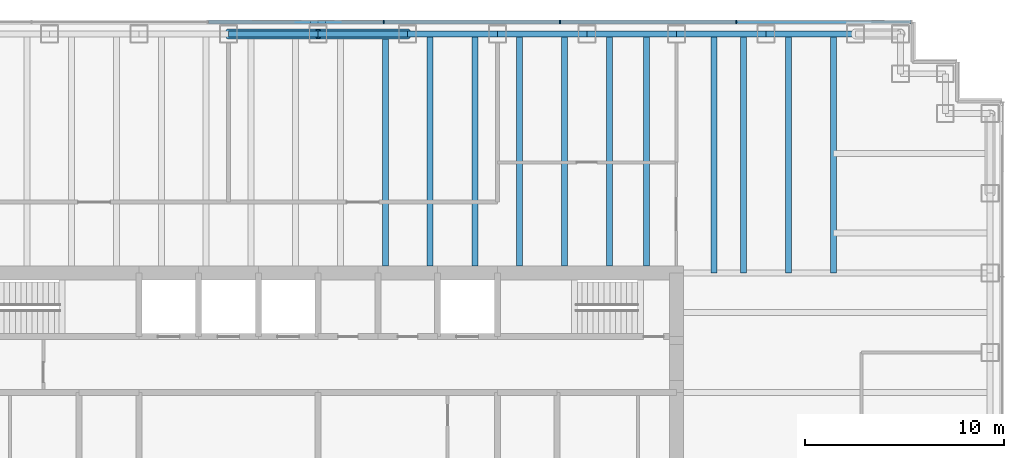
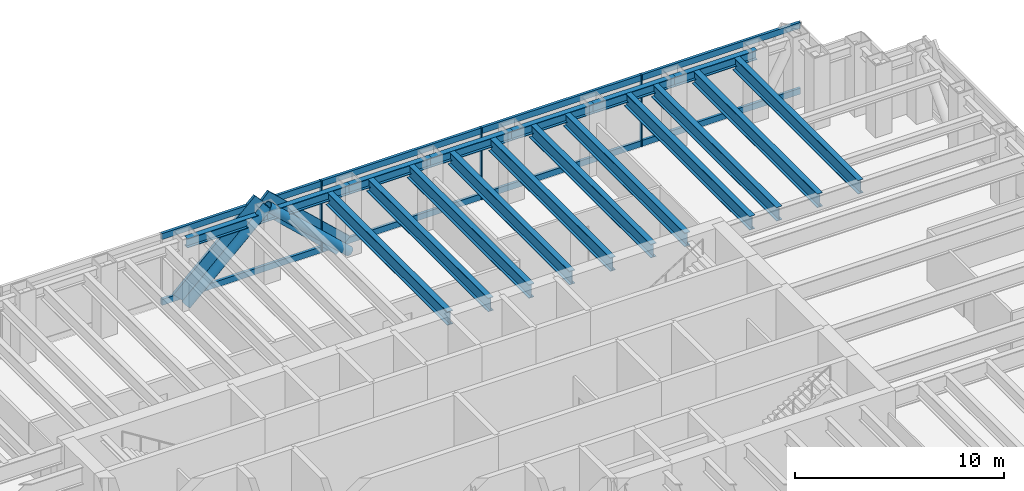
# One storey, part 7 of 15: 18 beams, 15 members, 1 element without a shape of its own.
"""IFC4 building model written with IfcOpenShell, lengths in metres."""

from ifc_helpers import new_model, si_unit, direction, frame, origin, origin_2d, place, context, subcontext, project, spatial, rectangle, hollow_circle, i_section, extrude, material, material_profile, profile_set, type_object, element, aggregate, save


model = new_model("IFC4")

# Units and contexts
model_context = context("Model", 3, precision=1e-05, world=origin(), true_north=direction((0.0, 1.0)))
body_context = subcontext(model_context, "Body", "Model", "MODEL_VIEW")
ifc_project = project(units=[si_unit("LENGTHUNIT", "METRE"), si_unit("AREAUNIT", "SQUARE_METRE"), si_unit("VOLUMEUNIT", "CUBIC_METRE"), si_unit("PLANEANGLEUNIT", "RADIAN"), si_unit("MASSUNIT", "GRAM", prefix="KILO")], contexts=[model_context])

# Site, building, storey
site_placement = place(None, origin())
site = spatial("IfcSite", under=ifc_project, at=site_placement, CompositionType="ELEMENT")
building_placement = place(site_placement, origin())
building = spatial("IfcBuilding", under=site, at=building_placement, Name="Rheinbord Bourse Tower", CompositionType="ELEMENT")
storey_placement = place(building_placement, frame((0.0, 0.0, 329.89990234375)))
storey = spatial("IfcBuildingStorey", under=building, at=storey_placement, Name="L75", CompositionType="ELEMENT", Elevation=329.89990234375)

# Curtain wall, members
ifc_material_1 = material(Name="Dark glass and black aluminium", Category="aluminium")
curtain_wall_type = type_object("IfcCurtainWallType", Name="CW3 DARK GLASS CURTAIN WALL", PredefinedType="USERDEFINED", material=ifc_material_1)
curtain_wall_placement = place(storey_placement, origin())
curtain_wall = element("IfcCurtainWall", 1, at=curtain_wall_placement, inside=storey, type_object=curtain_wall_type, Name="Curtain wall CW3 N L75", ObjectType="UNITISED CURTAIN WALL", PredefinedType="USERDEFINED")
ifc_material_2 = material(Name="Black anodised aluminium", Category="aluminium")
ifc_material_profile_1 = material_profile(ifc_material_2, rectangle(XDim=0.14990234375, YDim=1.10791015625, at=origin_2d()), Name="CW3 DIAGONAL MULLION 1108x150")
ifc_profile_set_1 = profile_set([ifc_material_profile_1], Name="Black anodised aluminium")
member_type_1 = type_object("IfcMemberType", Name="CW3 BLACK DIAGONAL MULLION", PredefinedType="USERDEFINED", material=ifc_profile_set_1)
member_1_placement = place(storey_placement, frame((40.5, 44.60009765625, 0.0), z_axis=(-0.731039441158, 0.0, 0.682335207557), x_axis=(0.0, -1.0, 0.0)))
member_1 = element("IfcMember", 2, at=member_1_placement, type_object=member_type_1, Name="CW3 diagonal mullion a", ObjectType="DIAGONAL MULLION", PredefinedType="USERDEFINED", context=body_context, shape_type="SweptSolid", body=[
    extrude(rectangle(XDim=0.14990234375, YDim=1.10791015625, at=origin_2d()), origin(), (0.0, 0.0, 1.0), 6.155517578125),
])
member_2_placement = place(storey_placement, frame((31.5, 44.60009765625, 0.0), z_axis=(0.731039441158, 0.0, 0.682335207557), x_axis=(0.0, 1.0, 0.0)))
member_2 = element("IfcMember", 3, at=member_2_placement, type_object=member_type_1, Name="CW3 diagonal mullion b", ObjectType="DIAGONAL MULLION", PredefinedType="USERDEFINED", context=body_context, shape_type="SweptSolid", body=[
    extrude(rectangle(XDim=0.14990234375, YDim=1.10791015625, at=origin_2d()), origin(), (0.0, 0.0, 1.0), 6.155517578125),
])
ifc_material_3 = material(Name="Black anodised aluminium", Category="aluminium")
ifc_material_profile_2 = material_profile(ifc_material_3, rectangle(XDim=0.199951171875, YDim=0.06494140625, at=origin_2d()), Name="CW3 MULLION 65x200")
ifc_profile_set_2 = profile_set([ifc_material_profile_2], Name="Black anodised aluminium")
member_type_2 = type_object("IfcMemberType", Name="CW3 BLACK MULLION", PredefinedType="MULLION", material=ifc_profile_set_2)
member_3_placement = place(storey_placement, frame((57.0, 44.60009765625, 0.0), z_axis=(0.0, 0.0, 1.0), x_axis=(0.0, -1.0, 0.0)))
member_3 = element("IfcMember", 4, at=member_3_placement, type_object=member_type_2, Name="CW3 mullion 2", PredefinedType="MULLION", context=body_context, shape_type="SweptSolid", body=[
    extrude(rectangle(XDim=0.199951171875, YDim=0.06494140625, at=origin_2d()), origin(), (0.0, 0.0, 1.0), 4.2001953125),
])
member_4_placement = place(storey_placement, frame((48.14990234375, 44.60009765625, 0.0), z_axis=(0.0, 0.0, 1.0), x_axis=(0.0, -1.0, 0.0)))
member_4 = element("IfcMember", 5, at=member_4_placement, type_object=member_type_2, Name="CW3 mullion 3", PredefinedType="MULLION", context=body_context, shape_type="SweptSolid", body=[
    extrude(rectangle(XDim=0.199951171875, YDim=0.06494140625, at=origin_2d()), origin(), (0.0, 0.0, 1.0), 4.2001953125),
])
member_5_placement = place(storey_placement, frame((39.300048828125, 44.60009765625, 0.0), z_axis=(0.0, 0.0, 1.0), x_axis=(0.0, -1.0, 0.0)))
member_5 = element("IfcMember", 6, at=member_5_placement, type_object=member_type_2, Name="CW3 mullion 4", PredefinedType="MULLION", context=body_context, shape_type="SweptSolid", body=[
    extrude(rectangle(XDim=0.199951171875, YDim=0.06494140625, at=origin_2d()), origin(), (0.0, 0.0, 1.0), 4.2001953125),
])
ifc_material_4 = material(Name="Black anodised aluminium", Category="aluminium")
ifc_material_profile_3 = material_profile(ifc_material_4, rectangle(XDim=0.14990234375, YDim=0.35009765625, at=origin_2d()), Name="CW3 TRANSOM 350x150")
ifc_profile_set_3 = profile_set([ifc_material_profile_3], Name="Black anodised aluminium")
member_type_3 = type_object("IfcMemberType", Name="CW3 BLACK TRANSOM", PredefinedType="USERDEFINED", material=ifc_profile_set_3)
member_6_placement = place(storey_placement, frame((65.784912109375, 44.60009765625, 0.175048828125), z_axis=(-1.0, 0.0, 0.0), x_axis=(0.0, -1.0, 0.0)))
member_6 = element("IfcMember", 7, at=member_6_placement, type_object=member_type_3, Name="CW3 transom 1.1", ObjectType="TRANSOM", PredefinedType="USERDEFINED", context=body_context, shape_type="SweptSolid", body=[
    extrude(rectangle(XDim=0.14990234375, YDim=0.35009765625, at=origin_2d()), origin(), (0.0, 0.0, 1.0), 8.75244140625),
])
member_7_placement = place(storey_placement, frame((65.784912109375, 44.60009765625, 4.025146484375), z_axis=(-1.0, 0.0, 0.0), x_axis=(0.0, -1.0, 0.0)))
member_7 = element("IfcMember", 8, at=member_7_placement, type_object=member_type_3, Name="CW3 transom 1.2", ObjectType="TRANSOM", PredefinedType="USERDEFINED", context=body_context, shape_type="SweptSolid", body=[
    extrude(rectangle(XDim=0.14990234375, YDim=0.35009765625, at=origin_2d()), origin(), (0.0, 0.0, 1.0), 8.75244140625),
])
member_8_placement = place(storey_placement, frame((56.967529296875, 44.60009765625, 0.175048828125), z_axis=(-1.0, 0.0, 0.0), x_axis=(0.0, -1.0, 0.0)))
member_8 = element("IfcMember", 9, at=member_8_placement, type_object=member_type_3, Name="CW3 transom 2.1", ObjectType="TRANSOM", PredefinedType="USERDEFINED", context=body_context, shape_type="SweptSolid", body=[
    extrude(rectangle(XDim=0.14990234375, YDim=0.35009765625, at=origin_2d()), origin(), (0.0, 0.0, 1.0), 8.784912109375),
])
member_9_placement = place(storey_placement, frame((56.967529296875, 44.60009765625, 4.025146484375), z_axis=(-1.0, 0.0, 0.0), x_axis=(0.0, -1.0, 0.0)))
member_9 = element("IfcMember", 10, at=member_9_placement, type_object=member_type_3, Name="CW3 transom 2.2", ObjectType="TRANSOM", PredefinedType="USERDEFINED", context=body_context, shape_type="SweptSolid", body=[
    extrude(rectangle(XDim=0.14990234375, YDim=0.35009765625, at=origin_2d()), origin(), (0.0, 0.0, 1.0), 8.784912109375),
])
member_10_placement = place(storey_placement, frame((48.117431640625, 44.60009765625, 0.175048828125), z_axis=(-1.0, 0.0, 0.0), x_axis=(0.0, -1.0, 0.0)))
member_10 = element("IfcMember", 11, at=member_10_placement, type_object=member_type_3, Name="CW3 transom 3.1", ObjectType="TRANSOM", PredefinedType="USERDEFINED", context=body_context, shape_type="SweptSolid", body=[
    extrude(rectangle(XDim=0.14990234375, YDim=0.35009765625, at=origin_2d()), origin(), (0.0, 0.0, 1.0), 8.784912109375),
])
member_11_placement = place(storey_placement, frame((48.117431640625, 44.60009765625, 4.025146484375), z_axis=(-1.0, 0.0, 0.0), x_axis=(0.0, -1.0, 0.0)))
member_11 = element("IfcMember", 12, at=member_11_placement, type_object=member_type_3, Name="CW3 transom 3.2", ObjectType="TRANSOM", PredefinedType="USERDEFINED", context=body_context, shape_type="SweptSolid", body=[
    extrude(rectangle(XDim=0.14990234375, YDim=0.35009765625, at=origin_2d()), origin(), (0.0, 0.0, 1.0), 8.784912109375),
])
member_12_placement = place(storey_placement, frame((39.267578125, 44.60009765625, 0.175048828125), z_axis=(-1.0, 0.0, 0.0), x_axis=(0.0, -1.0, 0.0)))
member_12 = element("IfcMember", 13, at=member_12_placement, type_object=member_type_3, Name="CW3 transom 4.1", ObjectType="TRANSOM", PredefinedType="USERDEFINED", context=body_context, shape_type="SweptSolid", body=[
    extrude(rectangle(XDim=0.14990234375, YDim=0.35009765625, at=origin_2d()), origin(), (0.0, 0.0, 1.0), 8.78515625),
])
member_13_placement = place(storey_placement, frame((39.267578125, 44.60009765625, 4.025146484375), z_axis=(-1.0, 0.0, 0.0), x_axis=(0.0, -1.0, 0.0)))
member_13 = element("IfcMember", 14, at=member_13_placement, type_object=member_type_3, Name="CW3 transom 4.2", ObjectType="TRANSOM", PredefinedType="USERDEFINED", context=body_context, shape_type="SweptSolid", body=[
    extrude(rectangle(XDim=0.14990234375, YDim=0.35009765625, at=origin_2d()), origin(), (0.0, 0.0, 1.0), 8.78515625),
])
aggregate(curtain_wall, [member_3, member_4, member_5, member_6, member_7, member_8, member_9, member_10, member_11, member_12, member_13, member_1, member_2])

# Beams
ifc_material_5 = material(Name="Steel S460", Category="steel")
ifc_material_profile_4 = material_profile(ifc_material_5, i_section(OverallWidth=0.300048828125, OverallDepth=0.800048828125, WebThickness=0.017578125, FlangeThickness=0.032958984375, at=origin_2d()), Name="HEB 800")
ifc_profile_set_4 = profile_set([ifc_material_profile_4], Name="Steel S460")
beam_type_1 = type_object("IfcBeamType", Name="FLOOR BEAM HEB 800", PredefinedType="BEAM", material=ifc_profile_set_4)
for number, where, z_axis, x_axis, name in (
    (15, (39.375, 44.0, 3.550048828125), (0.0, -1.0, 0.0), (1.0, 0.0, 0.0), "Floor beam N-36b RF"),
    (16, (41.625, 44.0, 3.550048828125), (0.0, -1.0, 0.0), (1.0, 0.0, 0.0), "Floor beam N-40.5a RF"),
    (17, (43.875, 44.0, 3.550048828125), (0.0, -1.0, 0.0), (1.0, 0.0, 0.0), "Floor beam N-40.5b RF"),
    (18, (46.125, 44.0, 3.550048828125), (0.0, -1.0, 0.0), (1.0, 0.0, 0.0), "Floor beam N-45a RF"),
    (19, (48.375, 44.0, 3.550048828125), (0.0, -1.0, 0.0), (1.0, 0.0, 0.0), "Floor beam N-45b RF"),
    (20, (50.625, 44.0, 3.550048828125), (0.0, -1.0, 0.0), (1.0, 0.0, 0.0), "Floor beam N-49.5a RF"),
    (21, (52.5, 44.0, 3.550048828125), (0.0, -1.0, 0.0), (1.0, 0.0, 0.0), "Floor beam N-49.5b RF"),
):
    element("IfcBeam", number, at=place(storey_placement, frame(where, z_axis=z_axis, x_axis=x_axis)), inside=storey, type_object=beam_type_1, Name=name, PredefinedType="BEAM", context=body_context, shape_type="SweptSolid", body=[
        extrude(i_section(OverallWidth=0.300048828125, OverallDepth=0.800048828125, WebThickness=0.017578125, FlangeThickness=0.032958984375, at=origin_2d()), origin(), (0.0, 0.0, 1.0), 11.64990234375),
    ])
for number, where, z_axis, x_axis, name in (
    (22, (55.875, 44.0, 3.550048828125), (0.0, -1.0, 0.0), (1.0, 0.0, 0.0), "Floor beam N-54a RF"),
    (23, (57.375, 44.0, 3.550048828125), (0.0, -1.0, 0.0), (1.0, 0.0, 0.0), "Floor beam N-54b RF"),
    (24, (59.625, 44.0, 3.550048828125), (0.0, -1.0, 0.0), (1.0, 0.0, 0.0), "Floor beam N-58.5a RF"),
    (25, (61.875, 44.0, 3.550048828125), (0.0, -1.0, 0.0), (1.0, 0.0, 0.0), "Floor beam N-58.5b RF"),
):
    element("IfcBeam", number, at=place(storey_placement, frame(where, z_axis=z_axis, x_axis=x_axis)), inside=storey, type_object=beam_type_1, Name=name, PredefinedType="BEAM", context=body_context, shape_type="SweptSolid", body=[
        extrude(i_section(OverallWidth=0.300048828125, OverallDepth=0.800048828125, WebThickness=0.017578125, FlangeThickness=0.032958984375, at=origin_2d()), origin(), (0.0, 0.0, 1.0), 12.0),
    ])

# Members
ifc_material_6 = material(Name="Steel S460", Category="steel")
ifc_material_profile_5 = material_profile(ifc_material_6, hollow_circle(Radius=0.25390625, WallThickness=0.030029296875, at=origin_2d()), Name="CHS 508x30")
ifc_profile_set_5 = profile_set([ifc_material_profile_5], Name="Steel S460")
member_type_4 = type_object("IfcMemberType", Name="MEGABRACE CHS 508x30", PredefinedType="BRACE", material=ifc_profile_set_5)
for number, where, z_axis, x_axis, name in (
    (26, (40.5, 44.0, 0.0), (-0.731039441158, 0.0, 0.682335207557), (0.0, -1.0, 0.0), "Megabrace N face line a L75"),
    (27, (31.5, 44.0, 0.0), (0.731039441158, 0.0, 0.682335207557), (0.0, 1.0, 0.0), "Megabrace N face line b L75"),
):
    element("IfcMember", number, at=place(storey_placement, frame(where, z_axis=z_axis, x_axis=x_axis)), inside=storey, type_object=member_type_4, Name=name, PredefinedType="BRACE", context=body_context, shape_type="SweptSolid", body=[
        extrude(hollow_circle(Radius=0.25390625, WallThickness=0.030029296875, at=origin_2d()), origin(), (0.0, 0.0, 1.0), 6.155517578125),
    ])

# Beams
ifc_material_7 = material(Name="Steel S460", Category="steel")
ifc_material_profile_6 = material_profile(ifc_material_7, i_section(OverallWidth=0.300048828125, OverallDepth=0.550048828125, WebThickness=0.014892578125, FlangeThickness=0.029052734375, at=origin_2d()), Name="HEB 550")
ifc_profile_set_6 = profile_set([ifc_material_profile_6], Name="Steel S460")
beam_type_2 = type_object("IfcBeamType", Name="SPANDREL HEB 550", PredefinedType="SPANDREL", material=ifc_profile_set_6)
for number, where, z_axis, x_axis, name in (
    (28, (63.0, 44.0, 3.675048828125), (-1.0, 0.0, 0.0), (0.0, -1.0, 0.0), "Spandrel N-63-N-58.5 under RF"),
    (29, (58.5, 44.0, 3.675048828125), (-1.0, 0.0, 0.0), (0.0, -1.0, 0.0), "Spandrel N-58.5-N-54 under RF"),
    (30, (54.0, 44.0, 3.675048828125), (-1.0, 0.0, 0.0), (0.0, -1.0, 0.0), "Spandrel N-54-N-49.5 under RF"),
    (31, (49.5, 44.0, 3.675048828125), (-1.0, 0.0, 0.0), (0.0, -1.0, 0.0), "Spandrel N-49.5-N-45 under RF"),
    (32, (45.0, 44.0, 3.675048828125), (-1.0, 0.0, 0.0), (0.0, -1.0, 0.0), "Spandrel N-45-N-40.5 under RF"),
    (33, (40.5, 44.0, 3.675048828125), (-1.0, 0.0, 0.0), (0.0, -1.0, 0.0), "Spandrel N-40.5-N-36 under RF"),
    (34, (36.0, 44.0, 3.675048828125), (-1.0, 0.0, 0.0), (0.0, -1.0, 0.0), "Spandrel N-36-N-31.5 under RF"),
):
    element("IfcBeam", number, at=place(storey_placement, frame(where, z_axis=z_axis, x_axis=x_axis)), inside=storey, type_object=beam_type_2, Name=name, PredefinedType="SPANDREL", context=body_context, shape_type="SweptSolid", body=[
        extrude(i_section(OverallWidth=0.300048828125, OverallDepth=0.550048828125, WebThickness=0.014892578125, FlangeThickness=0.029052734375, at=origin_2d()), origin(), (0.0, 0.0, 1.0), 4.5),
    ])

save(model, "model.ifc")
